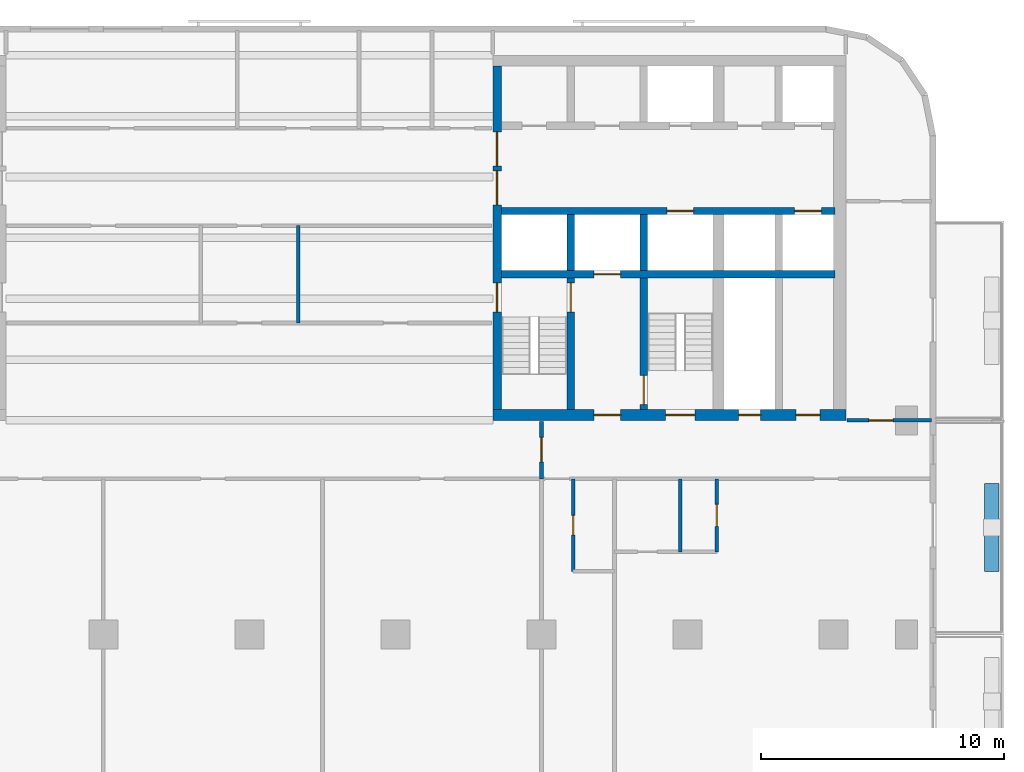
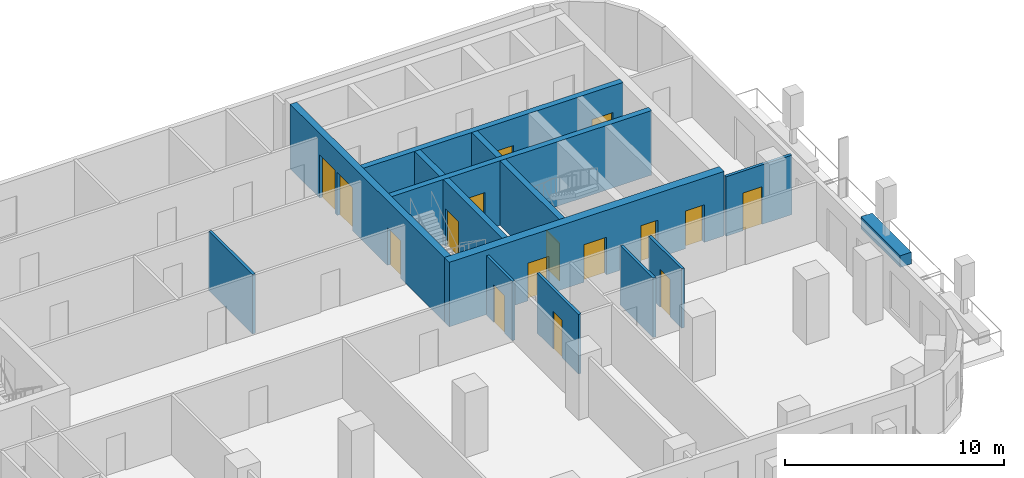
# One storey, part 5 of 11: 16 doors, 15 walls, 16 openings.
"""IFC4 building model written with IfcOpenShell, lengths in metres."""

from ifc_helpers import new_model, si_unit, direction, frame, frame_2d, origin, place, context, subcontext, project, spatial, rectangle, extrude, material, layer, layer_set, type_object, element, fill, save


model = new_model("IFC4")

# Units and contexts
model_context = context("Model", 3, precision=1e-05, world=origin(), true_north=direction((0.0, 1.0)))
body_context = subcontext(model_context, "Body", "Model", "MODEL_VIEW")
ifc_project = project(units=[si_unit("LENGTHUNIT", "METRE"), si_unit("AREAUNIT", "SQUARE_METRE"), si_unit("VOLUMEUNIT", "CUBIC_METRE"), si_unit("PLANEANGLEUNIT", "RADIAN"), si_unit("MASSUNIT", "GRAM", prefix="KILO")], contexts=[model_context])

# Site, building, storey
site_placement = place(None, origin())
site = spatial("IfcSite", under=ifc_project, at=site_placement, CompositionType="ELEMENT")
building_placement = place(site_placement, origin())
building = spatial("IfcBuilding", under=site, at=building_placement, Name="Torana Hotel and Residences", CompositionType="ELEMENT")
storey_placement = place(building_placement, frame((0.0, 0.0, 141.60009765625)))
storey = spatial("IfcBuildingStorey", under=building, at=storey_placement, Name="L36", CompositionType="ELEMENT", Elevation=141.60009765625)

# Wall, openings, doors
ifc_material_1 = material(Name="Concrete C70/85", Category="concrete")
ifc_layer_1 = layer(ifc_material_1, 0.300048828125)
ifc_layer_set_1 = layer_set([ifc_layer_1], Name="CORE WALL 300 C70/85")
wall_type_1 = type_object("IfcWallType", Name="CORE WALL 300 C70/85", PredefinedType="SHEAR", material=ifc_layer_set_1)
wall_1_placement = place(storey_placement, frame((10.35009765625, -6.39990234375, 0.0), z_axis=(0.0, 0.0, 1.0), x_axis=(1.0, 0.0, 0.0)))
wall_1 = element("IfcWall", 1, at=wall_1_placement, inside=storey, type_object=wall_type_1, Name="Core wall E row-S", PredefinedType="SHEAR", context=body_context, shape_type="SweptSolid", body=[
    extrude(rectangle(XDim=13.699951171875, YDim=0.300048828125, at=frame_2d((6.85009765625, 0.0))), origin(), (0.0, 0.0, 1.0), 3.599853515625),
])
opening_1_placement = place(wall_1_placement, frame((12.050048828125, 0.0, 0.0)))
opening_1 = element("IfcOpeningElement", 2, at=opening_1_placement, cuts=wall_1, Name="Opening LD", PredefinedType="OPENING", context=body_context, shape_type="SweptSolid", body=[
    extrude(rectangle(XDim=1.10009765625, YDim=2.10009765625, at=frame_2d((0.550048828125, 1.050048828125))), frame((0.0, 0.159912109375, 0.0), z_axis=(0.0, -1.0, 0.0), x_axis=(1.0, 0.0, 0.0)), (0.0, 0.0, 1.0), 0.320068359375),
])
opening_2_placement = place(wall_1_placement, frame((6.800048828125, 0.0, 0.0)))
opening_2 = element("IfcOpeningElement", 3, at=opening_2_placement, cuts=wall_1, Name="Opening LD", PredefinedType="OPENING", context=body_context, shape_type="SweptSolid", body=[
    extrude(rectangle(XDim=1.10009765625, YDim=2.10009765625, at=frame_2d((0.550048828125, 1.050048828125))), frame((0.0, 0.159912109375, 0.0), z_axis=(0.0, -1.0, 0.0), x_axis=(1.0, 0.0, 0.0)), (0.0, 0.0, 1.0), 0.320068359375),
])
ifc_material_2 = material(Name="Stainless steel 316", Category="steel")
door_type_1 = type_object("IfcDoorType", Name="LIFT LANDING DOOR LD 1100x2100", OperationType="DOUBLE_DOOR_SLIDING", PredefinedType="USERDEFINED", material=ifc_material_2)
door_1_placement = place(opening_1_placement, origin())
door_1 = element("IfcDoor", 4, at=door_1_placement, inside=storey, type_object=door_type_1, Name="Lift landing door M4 L36", ObjectType="LIFT LANDING DOOR", OperationType="DOUBLE_DOOR_SLIDING", OverallHeight=2.10009765625, OverallWidth=1.10009765625, PredefinedType="USERDEFINED", context=body_context, shape_type="SweptSolid", body=[
    extrude(rectangle(XDim=1.10009765625, YDim=2.10009765625, at=frame_2d((0.550048828125, 1.050048828125))), frame((0.0, 0.02490234375, 0.0), z_axis=(0.0, -1.0, 0.0), x_axis=(1.0, 0.0, 0.0)), (0.0, 0.0, 1.0), 0.050048828125),
])
fill(opening_1, door_1)
door_2_placement = place(opening_2_placement, origin())
door_2 = element("IfcDoor", 5, at=door_2_placement, inside=storey, type_object=door_type_1, Name="Lift landing door SV2 L36", ObjectType="LIFT LANDING DOOR", OperationType="DOUBLE_DOOR_SLIDING", OverallHeight=2.10009765625, OverallWidth=1.10009765625, PredefinedType="USERDEFINED", context=body_context, shape_type="SweptSolid", body=[
    extrude(rectangle(XDim=1.10009765625, YDim=2.10009765625, at=frame_2d((0.550048828125, 1.050048828125))), frame((0.0, 0.02490234375, 0.0), z_axis=(0.0, -1.0, 0.0), x_axis=(1.0, 0.0, 0.0)), (0.0, 0.0, 1.0), 0.050048828125),
])
fill(opening_2, door_2)

# Wall, opening, door
wall_2_placement = place(storey_placement, frame((10.35009765625, -9.0, 0.0), z_axis=(0.0, 0.0, 1.0), x_axis=(1.0, 0.0, 0.0)))
wall_2 = element("IfcWall", 6, at=wall_2_placement, inside=storey, type_object=wall_type_1, Name="Core wall E band", PredefinedType="SHEAR", context=body_context, shape_type="SweptSolid", body=[
    extrude(rectangle(XDim=13.699951171875, YDim=0.300048828125, at=frame_2d((6.85009765625, 0.0))), origin(), (0.0, 0.0, 1.0), 3.599853515625),
])
opening_3_placement = place(wall_2_placement, frame((3.800048828125, 0.0, 0.0)))
opening_3 = element("IfcOpeningElement", 7, at=opening_3_placement, cuts=wall_2, Name="Opening LD", PredefinedType="OPENING", context=body_context, shape_type="SweptSolid", body=[
    extrude(rectangle(XDim=1.10009765625, YDim=2.10009765625, at=frame_2d((0.550048828125, 1.050048828125))), frame((0.0, 0.159912109375, 0.0), z_axis=(0.0, -1.0, 0.0), x_axis=(1.0, 0.0, 0.0)), (0.0, 0.0, 1.0), 0.320068359375),
])
door_3_placement = place(opening_3_placement, origin())
door_3 = element("IfcDoor", 8, at=door_3_placement, inside=storey, type_object=door_type_1, Name="Lift landing door FF2 L36", ObjectType="LIFT LANDING DOOR", OperationType="DOUBLE_DOOR_SLIDING", OverallHeight=2.10009765625, OverallWidth=1.10009765625, PredefinedType="USERDEFINED", context=body_context, shape_type="SweptSolid", body=[
    extrude(rectangle(XDim=1.10009765625, YDim=2.10009765625, at=frame_2d((0.550048828125, 1.050048828125))), frame((0.0, 0.02490234375, 0.0), z_axis=(0.0, -1.0, 0.0), x_axis=(1.0, 0.0, 0.0)), (0.0, 0.0, 1.0), 0.050048828125),
])
fill(opening_3, door_3)

# Wall
wall_3_placement = place(storey_placement, frame((13.199951171875, -8.85009765625, 0.0), z_axis=(0.0, 0.0, 1.0), x_axis=(0.0, 1.0, 0.0)))
element("IfcWall", 9, at=wall_3_placement, inside=storey, type_object=wall_type_1, Name="Core wall E x3.05-S", PredefinedType="SHEAR", context=body_context, shape_type="SweptSolid", body=[
    extrude(rectangle(XDim=2.300048828125, YDim=0.300048828125, at=frame_2d((1.14990234375, 0.0))), origin(), (0.0, 0.0, 1.0), 3.599853515625),
])

# Wall, opening, door
wall_4_placement = place(storey_placement, frame((13.199951171875, -14.550048828125, 0.0), z_axis=(0.0, 0.0, 1.0), x_axis=(0.0, 1.0, 0.0)))
wall_4 = element("IfcWall", 10, at=wall_4_placement, inside=storey, type_object=wall_type_1, Name="Core wall E x3.05-band", PredefinedType="SHEAR", context=body_context, shape_type="SweptSolid", body=[
    extrude(rectangle(XDim=5.400146484375, YDim=0.300048828125, at=frame_2d((2.7001953125, 0.0))), origin(), (0.0, 0.0, 1.0), 3.599853515625),
])
opening_4_placement = place(wall_4_placement, frame((4.0, 0.0, 0.0)))
opening_4 = element("IfcOpeningElement", 11, at=opening_4_placement, cuts=wall_4, Name="Opening L36-25", PredefinedType="OPENING", context=body_context, shape_type="SweptSolid", body=[
    extrude(rectangle(XDim=1.199951171875, YDim=2.10009765625, at=frame_2d((0.60009765625, 1.050048828125))), frame((0.0, 0.159912109375, 0.0), z_axis=(0.0, -1.0, 0.0), x_axis=(1.0, 0.0, 0.0)), (0.0, 0.0, 1.0), 0.320068359375),
])
ifc_material_3 = material(Name="Steel S235", Category="steel")
door_type_2 = type_object("IfcDoorType", Name="STAIR FIRE DOOR D3 1200x2100", OperationType="SINGLE_SWING_LEFT", PredefinedType="DOOR", material=ifc_material_3)
door_4_placement = place(opening_4_placement, origin())
door_4 = element("IfcDoor", 12, at=door_4_placement, inside=storey, type_object=door_type_2, Name="Stair-A-lobby door L36", OperationType="SINGLE_SWING_LEFT", OverallHeight=2.10009765625, OverallWidth=1.199951171875, PredefinedType="DOOR", context=body_context, shape_type="SweptSolid", body=[
    extrude(rectangle(XDim=1.199951171875, YDim=2.10009765625, at=frame_2d((0.60009765625, 1.050048828125))), frame((0.0, 0.02490234375, 0.0), z_axis=(0.0, -1.0, 0.0), x_axis=(1.0, 0.0, 0.0)), (0.0, 0.0, 1.0), 0.050048828125),
])
fill(opening_4, door_4)

# Wall
wall_5_placement = place(storey_placement, frame((16.199951171875, -8.85009765625, 0.0), z_axis=(0.0, 0.0, 1.0), x_axis=(0.0, 1.0, 0.0)))
element("IfcWall", 13, at=wall_5_placement, inside=storey, type_object=wall_type_1, Name="Core wall E x6.05-S", PredefinedType="SHEAR", context=body_context, shape_type="SweptSolid", body=[
    extrude(rectangle(XDim=2.300048828125, YDim=0.300048828125, at=frame_2d((1.14990234375, 0.0))), origin(), (0.0, 0.0, 1.0), 3.599853515625),
])

# Wall, opening, door
wall_6_placement = place(storey_placement, frame((16.199951171875, -14.550048828125, 0.0), z_axis=(0.0, 0.0, 1.0), x_axis=(0.0, 1.0, 0.0)))
wall_6 = element("IfcWall", 14, at=wall_6_placement, inside=storey, type_object=wall_type_1, Name="Core wall E x6.05-band", PredefinedType="SHEAR", context=body_context, shape_type="SweptSolid", body=[
    extrude(rectangle(XDim=5.400146484375, YDim=0.300048828125, at=frame_2d((2.7001953125, 0.0))), origin(), (0.0, 0.0, 1.0), 3.599853515625),
])
opening_5_placement = place(wall_6_placement, frame((0.199951171875, 0.0, 0.0)))
opening_5 = element("IfcOpeningElement", 15, at=opening_5_placement, cuts=wall_6, Name="Opening L36-26", PredefinedType="OPENING", context=body_context, shape_type="SweptSolid", body=[
    extrude(rectangle(XDim=1.199951171875, YDim=2.10009765625, at=frame_2d((0.60009765625, 1.050048828125))), frame((0.0, 0.159912109375, 0.0), z_axis=(0.0, -1.0, 0.0), x_axis=(1.0, 0.0, 0.0)), (0.0, 0.0, 1.0), 0.320068359375),
])
door_5_placement = place(opening_5_placement, frame((0.60009765625, 0.0, 0.0), z_axis=(0.0, 0.0, 1.0), x_axis=(-1.0, 0.0, 0.0)))
door_5 = element("IfcDoor", 16, at=door_5_placement, inside=storey, type_object=door_type_2, Name="Stair-B-lobby door L36", OperationType="SINGLE_SWING_LEFT", OverallHeight=2.10009765625, OverallWidth=1.199951171875, PredefinedType="DOOR", context=body_context, shape_type="SweptSolid", body=[
    extrude(rectangle(XDim=1.199951171875, YDim=2.10009765625, at=frame_2d((0.0, 1.050048828125))), frame((0.0, -0.02490234375, 0.0), z_axis=(0.0, 1.0, 0.0), x_axis=(-1.0, 0.0, 0.0)), (0.0, 0.0, 1.0), 0.050048828125),
])
fill(opening_5, door_5)

# Wall, openings, doors
ifc_material_4 = material(Name="Concrete C70/85", Category="concrete")
ifc_layer_2 = layer(ifc_material_4, 0.35009765625)
ifc_layer_set_2 = layer_set([ifc_layer_2], Name="CORE WALL 350 C70/85")
wall_type_2 = type_object("IfcWallType", Name="CORE WALL 350 C70/85", PredefinedType="SHEAR", material=ifc_layer_set_2)
wall_7_placement = place(storey_placement, frame((10.175048828125, -14.550048828125, 0.0), z_axis=(0.0, 0.0, 1.0), x_axis=(0.0, 1.0, 0.0)))
wall_7 = element("IfcWall", 17, at=wall_7_placement, inside=storey, type_object=wall_type_2, Name="Core wall E arch", PredefinedType="SHEAR", context=body_context, shape_type="SweptSolid", body=[
    extrude(rectangle(XDim=14.10009765625, YDim=0.35009765625, at=frame_2d((7.050048828125, 0.0))), origin(), (0.0, 0.0, 1.0), 3.599853515625),
])
opening_6_placement = place(wall_7_placement, frame((8.39990234375, 0.0, 0.0)))
opening_6 = element("IfcOpeningElement", 18, at=opening_6_placement, cuts=wall_7, Name="Opening L36-14", PredefinedType="OPENING", context=body_context, shape_type="SweptSolid", body=[
    extrude(rectangle(XDim=1.39990234375, YDim=2.39990234375, at=frame_2d((0.699951171875, 1.199951171875))), frame((0.0, 0.18505859375, 0.0), z_axis=(0.0, -1.0, 0.0), x_axis=(1.0, 0.0, 0.0)), (0.0, 0.0, 1.0), 0.3701171875),
])
opening_7_placement = place(wall_7_placement, frame((10.0, 0.0, 0.0)))
opening_7 = element("IfcOpeningElement", 19, at=opening_7_placement, cuts=wall_7, Name="Opening L36-15", PredefinedType="OPENING", context=body_context, shape_type="SweptSolid", body=[
    extrude(rectangle(XDim=1.39990234375, YDim=2.39990234375, at=frame_2d((0.699951171875, 1.199951171875))), frame((0.0, 0.18505859375, 0.0), z_axis=(0.0, -1.0, 0.0), x_axis=(1.0, 0.0, 0.0)), (0.0, 0.0, 1.0), 0.3701171875),
])
opening_8_placement = place(wall_7_placement, frame((4.0, 0.0, 0.0)))
opening_8 = element("IfcOpeningElement", 20, at=opening_8_placement, cuts=wall_7, Name="Opening L36-16", PredefinedType="OPENING", context=body_context, shape_type="SweptSolid", body=[
    extrude(rectangle(XDim=1.199951171875, YDim=2.10009765625, at=frame_2d((0.60009765625, 1.050048828125))), frame((0.0, 0.18505859375, 0.0), z_axis=(0.0, -1.0, 0.0), x_axis=(1.0, 0.0, 0.0)), (0.0, 0.0, 1.0), 0.3701171875),
])
ifc_material_5 = material(Name="Steel S235", Category="steel")
door_type_3 = type_object("IfcDoorType", Name="LOBBY FIRE DOOR D4 1400x2400", OperationType="DOUBLE_DOOR_SINGLE_SWING", PredefinedType="DOOR", material=ifc_material_5)
door_6_placement = place(opening_6_placement, origin())
door_6 = element("IfcDoor", 21, at=door_6_placement, inside=storey, type_object=door_type_3, Name="Lobby-1 door L36", OperationType="DOUBLE_DOOR_SINGLE_SWING", OverallHeight=2.39990234375, OverallWidth=1.39990234375, PredefinedType="DOOR", context=body_context, shape_type="SweptSolid", body=[
    extrude(rectangle(XDim=1.39990234375, YDim=2.39990234375, at=frame_2d((0.699951171875, 1.199951171875))), frame((0.0, 0.02490234375, 0.0), z_axis=(0.0, -1.0, 0.0), x_axis=(1.0, 0.0, 0.0)), (0.0, 0.0, 1.0), 0.050048828125),
])
fill(opening_6, door_6)
door_7_placement = place(opening_7_placement, origin())
door_7 = element("IfcDoor", 22, at=door_7_placement, inside=storey, type_object=door_type_3, Name="Lobby-2 door L36", OperationType="DOUBLE_DOOR_SINGLE_SWING", OverallHeight=2.39990234375, OverallWidth=1.39990234375, PredefinedType="DOOR", context=body_context, shape_type="SweptSolid", body=[
    extrude(rectangle(XDim=1.39990234375, YDim=2.39990234375, at=frame_2d((0.699951171875, 1.199951171875))), frame((0.0, 0.02490234375, 0.0), z_axis=(0.0, -1.0, 0.0), x_axis=(1.0, 0.0, 0.0)), (0.0, 0.0, 1.0), 0.050048828125),
])
fill(opening_7, door_7)
door_8_placement = place(opening_8_placement, frame((0.60009765625, 0.0, 0.0), z_axis=(0.0, 0.0, 1.0), x_axis=(-1.0, 0.0, 0.0)))
door_8 = element("IfcDoor", 23, at=door_8_placement, inside=storey, type_object=door_type_2, Name="Stair-A door L36", OperationType="SINGLE_SWING_RIGHT", OverallHeight=2.10009765625, OverallWidth=1.199951171875, PredefinedType="DOOR", context=body_context, shape_type="SweptSolid", body=[
    extrude(rectangle(XDim=1.199951171875, YDim=2.10009765625, at=frame_2d((0.0, 1.050048828125))), frame((0.0, -0.02490234375, 0.0), z_axis=(0.0, 1.0, 0.0), x_axis=(-1.0, 0.0, 0.0)), (0.0, 0.0, 1.0), 0.050048828125),
])
fill(opening_8, door_8)

ifc_material_6 = material(Name="Concrete C70/85", Category="concrete")
ifc_layer_3 = layer(ifc_material_6, 0.449951171875)
ifc_layer_set_3 = layer_set([ifc_layer_3], Name="CORE WALL 450 C70/85")
wall_type_3 = type_object("IfcWallType", Name="CORE WALL 450 C70/85", PredefinedType="SHEAR", material=ifc_layer_set_3)
wall_8_placement = place(storey_placement, frame((10.0, -14.77490234375, 0.0), z_axis=(0.0, 0.0, 1.0), x_axis=(1.0, 0.0, 0.0)))
wall_8 = element("IfcWall", 24, at=wall_8_placement, inside=storey, type_object=wall_type_3, Name="Core wall E front", PredefinedType="SHEAR", context=body_context, shape_type="SweptSolid", body=[
    extrude(rectangle(XDim=14.5, YDim=0.449951171875, at=frame_2d((7.25, 0.0))), origin(), (0.0, 0.0, 1.0), 3.599853515625),
])
opening_9_placement = place(wall_8_placement, frame((7.10009765625, 0.0, 0.0)))
opening_9 = element("IfcOpeningElement", 25, at=opening_9_placement, cuts=wall_8, Name="Opening L36-17", PredefinedType="OPENING", context=body_context, shape_type="SweptSolid", body=[
    extrude(rectangle(XDim=1.199951171875, YDim=2.10009765625, at=frame_2d((0.60009765625, 1.050048828125))), frame((0.0, 0.23486328125, 0.0), z_axis=(0.0, -1.0, 0.0), x_axis=(1.0, 0.0, 0.0)), (0.0, 0.0, 1.0), 0.469970703125),
])
opening_10_placement = place(wall_8_placement, frame((4.14990234375, 0.0, 0.0)))
opening_10 = element("IfcOpeningElement", 26, at=opening_10_placement, cuts=wall_8, Name="Opening L36-18", PredefinedType="OPENING", context=body_context, shape_type="SweptSolid", body=[
    extrude(rectangle(XDim=1.10009765625, YDim=2.10009765625, at=frame_2d((0.550048828125, 1.050048828125))), frame((0.0, 0.23486328125, 0.0), z_axis=(0.0, -1.0, 0.0), x_axis=(1.0, 0.0, 0.0)), (0.0, 0.0, 1.0), 0.469970703125),
])
opening_11_placement = place(wall_8_placement, frame((10.10009765625, 0.0, 0.0)))
opening_11 = element("IfcOpeningElement", 27, at=opening_11_placement, cuts=wall_8, Name="Opening L36-19", PredefinedType="OPENING", context=body_context, shape_type="SweptSolid", body=[
    extrude(rectangle(XDim=0.89990234375, YDim=2.10009765625, at=frame_2d((0.449951171875, 1.050048828125))), frame((0.0, 0.23486328125, 0.0), z_axis=(0.0, -1.0, 0.0), x_axis=(1.0, 0.0, 0.0)), (0.0, 0.0, 1.0), 0.469970703125),
])
opening_12_placement = place(wall_8_placement, frame((12.449951171875, 0.0, 0.0)))
opening_12 = element("IfcOpeningElement", 28, at=opening_12_placement, cuts=wall_8, Name="Opening L36-20", PredefinedType="OPENING", context=body_context, shape_type="SweptSolid", body=[
    extrude(rectangle(XDim=1.0, YDim=2.10009765625, at=frame_2d((0.5, 1.050048828125))), frame((0.0, 0.23486328125, 0.0), z_axis=(0.0, -1.0, 0.0), x_axis=(1.0, 0.0, 0.0)), (0.0, 0.0, 1.0), 0.469970703125),
])
ifc_material_7 = material(Name="Steel S235", Category="steel")
door_type_4 = type_object("IfcDoorType", Name="CORE ROOM FIRE DOOR D14 1000x2100", OperationType="SINGLE_SWING_LEFT", PredefinedType="DOOR", material=ifc_material_7)
door_9_placement = place(opening_12_placement, origin())
door_9 = element("IfcDoor", 29, at=door_9_placement, inside=storey, type_object=door_type_4, Name="M-Room door L36", OperationType="SINGLE_SWING_RIGHT", OverallHeight=2.10009765625, OverallWidth=1.0, PredefinedType="DOOR", context=body_context, shape_type="SweptSolid", body=[
    extrude(rectangle(XDim=1.0, YDim=2.10009765625, at=frame_2d((0.5, 1.050048828125))), frame((0.0, 0.02490234375, 0.0), z_axis=(0.0, -1.0, 0.0), x_axis=(1.0, 0.0, 0.0)), (0.0, 0.0, 1.0), 0.050048828125),
])
fill(opening_12, door_9)
ifc_material_8 = material(Name="Steel S235", Category="steel")
door_type_5 = type_object("IfcDoorType", Name="FIRE-FIGHTING LOBBY DOOR D8 1100x2100", OperationType="SINGLE_SWING_LEFT", PredefinedType="DOOR", material=ifc_material_8)
door_10_placement = place(opening_10_placement, origin())
door_10 = element("IfcDoor", 30, at=door_10_placement, inside=storey, type_object=door_type_5, Name="FF-lobby door L36", OperationType="SINGLE_SWING_RIGHT", OverallHeight=2.10009765625, OverallWidth=1.10009765625, PredefinedType="DOOR", context=body_context, shape_type="SweptSolid", body=[
    extrude(rectangle(XDim=1.10009765625, YDim=2.10009765625, at=frame_2d((0.550048828125, 1.050048828125))), frame((0.0, 0.02490234375, 0.0), z_axis=(0.0, -1.0, 0.0), x_axis=(1.0, 0.0, 0.0)), (0.0, 0.0, 1.0), 0.050048828125),
])
fill(opening_10, door_10)
ifc_material_9 = material(Name="Steel S235", Category="steel")
door_type_6 = type_object("IfcDoorType", Name="RISER ACCESS DOOR D5 900x2100", OperationType="SINGLE_SWING_LEFT", PredefinedType="DOOR", material=ifc_material_9)
door_11_placement = place(opening_11_placement, origin())
door_11 = element("IfcDoor", 31, at=door_11_placement, inside=storey, type_object=door_type_6, Name="M-Riser door L36", OperationType="SINGLE_SWING_RIGHT", OverallHeight=2.10009765625, OverallWidth=0.89990234375, PredefinedType="DOOR", context=body_context, shape_type="SweptSolid", body=[
    extrude(rectangle(XDim=0.89990234375, YDim=2.10009765625, at=frame_2d((0.449951171875, 1.050048828125))), frame((0.0, 0.02490234375, 0.0), z_axis=(0.0, -1.0, 0.0), x_axis=(1.0, 0.0, 0.0)), (0.0, 0.0, 1.0), 0.050048828125),
])
fill(opening_11, door_11)
door_12_placement = place(opening_9_placement, origin())
door_12 = element("IfcDoor", 32, at=door_12_placement, inside=storey, type_object=door_type_2, Name="Stair-B door L36", OperationType="SINGLE_SWING_RIGHT", OverallHeight=2.10009765625, OverallWidth=1.199951171875, PredefinedType="DOOR", context=body_context, shape_type="SweptSolid", body=[
    extrude(rectangle(XDim=1.199951171875, YDim=2.10009765625, at=frame_2d((0.60009765625, 1.050048828125))), frame((0.0, 0.02490234375, 0.0), z_axis=(0.0, -1.0, 0.0), x_axis=(1.0, 0.0, 0.0)), (0.0, 0.0, 1.0), 0.050048828125),
])
fill(opening_9, door_12)

# Wall, opening, door
ifc_material_10 = material(Name="Gypsum plaster")
ifc_layer_4 = layer(ifc_material_10, 0.014892578125, Name="Plaster", Category="finish")
ifc_material_11 = material(Name="Concrete blockwork", Category="masonry")
ifc_layer_5 = layer(ifc_material_11, 0.1201171875, Name="Blockwork", Category="structure")
ifc_layer_6 = layer(ifc_material_10, 0.014892578125, Name="Plaster", Category="finish")
ifc_layer_set_4 = layer_set([ifc_layer_4, ifc_layer_5, ifc_layer_6], Name="FIRE PARTITION 150 BLOCKWORK")
wall_type_4 = type_object("IfcWallType", Name="FIRE PARTITION 150 BLOCKWORK", PredefinedType="PARTITIONING", material=ifc_layer_set_4)
wall_9_placement = place(storey_placement, frame((12.0, -17.39990234375, 0.0), z_axis=(0.0, 0.0, 1.0), x_axis=(0.0, 1.0, 0.0)))
wall_9 = element("IfcWall", 33, at=wall_9_placement, inside=storey, type_object=wall_type_4, Name="Partition L36", PredefinedType="PARTITIONING", context=body_context, shape_type="SweptSolid", body=[
    extrude(rectangle(XDim=2.349853515625, YDim=0.14990234375, at=frame_2d((1.1748046875, 0.0))), origin(), (0.0, 0.0, 1.0), 3.31982421875),
])
opening_13_placement = place(wall_9_placement, frame((0.699951171875, 0.0, 0.0)))
opening_13 = element("IfcOpeningElement", 34, at=opening_13_placement, cuts=wall_9, Name="Opening L36-32", PredefinedType="OPENING", context=body_context, shape_type="SweptSolid", body=[
    extrude(rectangle(XDim=1.0, YDim=2.10009765625, at=frame_2d((0.5, 1.050048828125))), frame((0.0, 0.0849609375, 0.0), z_axis=(0.0, -1.0, 0.0), x_axis=(1.0, 0.0, 0.0)), (0.0, 0.0, 1.0), 0.169921875),
])
ifc_material_12 = material(Name="Steel S235", Category="steel")
door_type_7 = type_object("IfcDoorType", Name="ENTRY FIRE DOOR D6 1000x2100", OperationType="SINGLE_SWING_LEFT", PredefinedType="DOOR", material=ifc_material_12)
door_13_placement = place(opening_13_placement, origin())
door_13 = element("IfcDoor", 35, at=door_13_placement, inside=storey, type_object=door_type_7, Name="Door L36", OperationType="SINGLE_SWING_RIGHT", OverallHeight=2.10009765625, OverallWidth=1.0, PredefinedType="DOOR", context=body_context, shape_type="SweptSolid", body=[
    extrude(rectangle(XDim=1.0, YDim=2.10009765625, at=frame_2d((0.5, 1.050048828125))), frame((0.0, 0.02490234375, 0.0), z_axis=(0.0, -1.0, 0.0), x_axis=(1.0, 0.0, 0.0)), (0.0, 0.0, 1.0), 0.050048828125),
])
fill(opening_13, door_13)

# Wall
wall_10_placement = place(storey_placement, frame((2.0, -11.0, 0.0), z_axis=(0.0, 0.0, 1.0), x_axis=(0.0, 1.0, 0.0)))
element("IfcWall", 36, at=wall_10_placement, inside=storey, type_object=wall_type_4, Name="Partition L36", PredefinedType="PARTITIONING", context=body_context, shape_type="SweptSolid", body=[
    extrude(rectangle(XDim=4.0, YDim=0.14990234375, at=frame_2d((2.0, 0.0))), origin(), (0.0, 0.0, 1.0), 3.31982421875),
])

# Wall, opening, door
wall_11_placement = place(storey_placement, frame((24.550048828125, -15.0, 0.0), z_axis=(0.0, 0.0, 1.0), x_axis=(1.0, 0.0, 0.0)))
wall_11 = element("IfcWall", 37, at=wall_11_placement, inside=storey, type_object=wall_type_4, Name="Partition L36", PredefinedType="PARTITIONING", context=body_context, shape_type="SweptSolid", body=[
    extrude(rectangle(XDim=3.469970703125, YDim=0.14990234375, at=frame_2d((1.73486328125, 0.0))), origin(), (0.0, 0.0, 1.0), 3.31982421875),
])
opening_14_placement = place(wall_11_placement, frame((0.89990234375, 0.0, 0.0)))
opening_14 = element("IfcOpeningElement", 38, at=opening_14_placement, cuts=wall_11, Name="Opening L36-35", PredefinedType="OPENING", context=body_context, shape_type="SweptSolid", body=[
    extrude(rectangle(XDim=1.0, YDim=2.10009765625, at=frame_2d((0.5, 1.050048828125))), frame((0.0, 0.0849609375, 0.0), z_axis=(0.0, -1.0, 0.0), x_axis=(1.0, 0.0, 0.0)), (0.0, 0.0, 1.0), 0.169921875),
])
door_14_placement = place(opening_14_placement, origin())
door_14 = element("IfcDoor", 39, at=door_14_placement, inside=storey, type_object=door_type_4, Name="Door L36", OperationType="SINGLE_SWING_LEFT", OverallHeight=2.10009765625, OverallWidth=1.0, PredefinedType="DOOR", context=body_context, shape_type="SweptSolid", body=[
    extrude(rectangle(XDim=1.0, YDim=2.10009765625, at=frame_2d((0.5, 1.050048828125))), frame((0.0, 0.02490234375, 0.0), z_axis=(0.0, -1.0, 0.0), x_axis=(1.0, 0.0, 0.0)), (0.0, 0.0, 1.0), 0.050048828125),
])
fill(opening_14, door_14)

ifc_material_13 = material(Name="Gypsum plasterboard")
ifc_layer_7 = layer(ifc_material_13, 0.012451171875, Name="Plasterboard", Category="finish")
ifc_layer_8 = layer(ifc_material_13, 0.012451171875, Name="Plasterboard", Category="finish")
ifc_material_14 = material(Name="Steel S280GD", Category="steel")
ifc_layer_9 = layer(ifc_material_14, 0.10009765625, Name="Steel studs with mineral wool", Category="insulation")
ifc_layer_10 = layer(ifc_material_13, 0.012451171875, Name="Plasterboard", Category="finish")
ifc_layer_11 = layer(ifc_material_13, 0.012451171875, Name="Plasterboard", Category="finish")
ifc_layer_set_5 = layer_set([ifc_layer_7, ifc_layer_8, ifc_layer_9, ifc_layer_10, ifc_layer_11], Name="PARTITION 150 PLASTERBOARD")
wall_type_5 = type_object("IfcWallType", Name="PARTITION 150 PLASTERBOARD", PredefinedType="PARTITIONING", material=ifc_layer_set_5)
wall_12_placement = place(storey_placement, frame((19.199951171875, -20.39990234375, 0.0), z_axis=(0.0, 0.0, 1.0), x_axis=(0.0, 1.0, 0.0)))
wall_12 = element("IfcWall", 40, at=wall_12_placement, inside=storey, type_object=wall_type_5, Name="Partition L36", PredefinedType="PARTITIONING", context=body_context, shape_type="SweptSolid", body=[
    extrude(rectangle(XDim=3.0, YDim=0.14990234375, at=frame_2d((1.5, 0.0))), origin(), (0.0, 0.0, 1.0), 3.31982421875),
])
opening_15_placement = place(wall_12_placement, frame((1.050048828125, 0.0, 0.0)))
opening_15 = element("IfcOpeningElement", 41, at=opening_15_placement, cuts=wall_12, Name="Opening L36-53", PredefinedType="OPENING", context=body_context, shape_type="SweptSolid", body=[
    extrude(rectangle(XDim=0.89990234375, YDim=2.10009765625, at=frame_2d((0.449951171875, 1.050048828125))), frame((0.0, 0.0849609375, 0.0), z_axis=(0.0, -1.0, 0.0), x_axis=(1.0, 0.0, 0.0)), (0.0, 0.0, 1.0), 0.169921875),
])
ifc_material_15 = material(Name="Timber door, oiled ash", Category="wood")
door_type_8 = type_object("IfcDoorType", Name="ROOM DOOR D7 900x2100", OperationType="SINGLE_SWING_LEFT", PredefinedType="DOOR", material=ifc_material_15)
door_15_placement = place(opening_15_placement, origin())
door_15 = element("IfcDoor", 42, at=door_15_placement, inside=storey, type_object=door_type_8, Name="Door L36", OperationType="SINGLE_SWING_RIGHT", OverallHeight=2.10009765625, OverallWidth=0.89990234375, PredefinedType="DOOR", context=body_context, shape_type="SweptSolid", body=[
    extrude(rectangle(XDim=0.89990234375, YDim=2.10009765625, at=frame_2d((0.449951171875, 1.050048828125))), frame((0.0, 0.02490234375, 0.0), z_axis=(0.0, -1.0, 0.0), x_axis=(1.0, 0.0, 0.0)), (0.0, 0.0, 1.0), 0.050048828125),
])
fill(opening_15, door_15)

# Wall
wall_13_placement = place(storey_placement, frame((17.699951171875, -20.39990234375, 0.0), z_axis=(0.0, 0.0, 1.0), x_axis=(0.0, 1.0, 0.0)))
element("IfcWall", 43, at=wall_13_placement, inside=storey, type_object=wall_type_5, Name="Partition L36", PredefinedType="PARTITIONING", context=body_context, shape_type="SweptSolid", body=[
    extrude(rectangle(XDim=3.0, YDim=0.14990234375, at=frame_2d((1.5, 0.0))), origin(), (0.0, 0.0, 1.0), 3.31982421875),
])

# Wall, opening, door
wall_14_placement = place(storey_placement, frame((13.300048828125, -21.199951171875, 0.0), z_axis=(0.0, 0.0, 1.0), x_axis=(0.0, 1.0, 0.0)))
wall_14 = element("IfcWall", 44, at=wall_14_placement, inside=storey, type_object=wall_type_5, Name="Partition L36", PredefinedType="PARTITIONING", context=body_context, shape_type="SweptSolid", body=[
    extrude(rectangle(XDim=3.800048828125, YDim=0.14990234375, at=frame_2d((1.89990234375, 0.0))), origin(), (0.0, 0.0, 1.0), 3.31982421875),
])
opening_16_placement = place(wall_14_placement, frame((1.5, 0.0, 0.0)))
opening_16 = element("IfcOpeningElement", 45, at=opening_16_placement, cuts=wall_14, Name="Opening L36-49", PredefinedType="OPENING", context=body_context, shape_type="SweptSolid", body=[
    extrude(rectangle(XDim=0.800048828125, YDim=2.10009765625, at=frame_2d((0.39990234375, 1.050048828125))), frame((0.0, 0.0849609375, 0.0), z_axis=(0.0, -1.0, 0.0), x_axis=(1.0, 0.0, 0.0)), (0.0, 0.0, 1.0), 0.169921875),
])
ifc_material_16 = material(Name="Timber door, painted", Category="wood")
door_type_9 = type_object("IfcDoorType", Name="BATH DOOR D13 800x2100", OperationType="SINGLE_SWING_LEFT", PredefinedType="DOOR", material=ifc_material_16)
door_16_placement = place(opening_16_placement, origin())
door_16 = element("IfcDoor", 46, at=door_16_placement, inside=storey, type_object=door_type_9, Name="Door L36", OperationType="SINGLE_SWING_RIGHT", OverallHeight=2.10009765625, OverallWidth=0.800048828125, PredefinedType="DOOR", context=body_context, shape_type="SweptSolid", body=[
    extrude(rectangle(XDim=0.800048828125, YDim=2.10009765625, at=frame_2d((0.39990234375, 1.050048828125))), frame((0.0, 0.02490234375, 0.0), z_axis=(0.0, -1.0, 0.0), x_axis=(1.0, 0.0, 0.0)), (0.0, 0.0, 1.0), 0.050048828125),
])
fill(opening_16, door_16)

# Wall
ifc_material_17 = material(Name="Concrete C40/50 precast", Category="concrete")
ifc_layer_12 = layer(ifc_material_17, 0.10009765625, Name="Planter shell", Category="structure")
ifc_material_18 = material(Name="Root resistant membrane")
ifc_layer_13 = layer(ifc_material_18, 0.00390625, Name="Waterproofing membrane", Category="membrane")
ifc_material_19 = material(Name="Drainage board with filter fleece")
ifc_layer_14 = layer(ifc_material_19, 0.02001953125, Name="Drainage board", Category="drainage")
ifc_material_20 = material(Name="Growing medium")
ifc_layer_15 = layer(ifc_material_20, 0.47607421875, Name="Planting substrate", Category="soil")
ifc_layer_set_6 = layer_set([ifc_layer_12, ifc_layer_13, ifc_layer_14, ifc_layer_15], Name="PL1 BALCONY PLANTER 600")
wall_type_6 = type_object("IfcWallType", Name="PL1 BALCONY PLANTER 600", PredefinedType="USERDEFINED", material=ifc_layer_set_6)
wall_15_placement = place(storey_placement, frame((30.5, -17.60009765625, 0.0), z_axis=(0.0, 0.0, 1.0), x_axis=(0.0, -1.0, 0.0)))
element("IfcWall", 47, at=wall_15_placement, inside=storey, type_object=wall_type_6, Name="Planter 13", ObjectType="PLANTER", PredefinedType="USERDEFINED", context=body_context, shape_type="SweptSolid", body=[
    extrude(rectangle(XDim=3.599853515625, YDim=0.60009765625, at=frame_2d((1.7998046875, 0.0))), origin(), (0.0, 0.0, 1.0), 0.64990234375),
])

save(model, "model.ifc")
